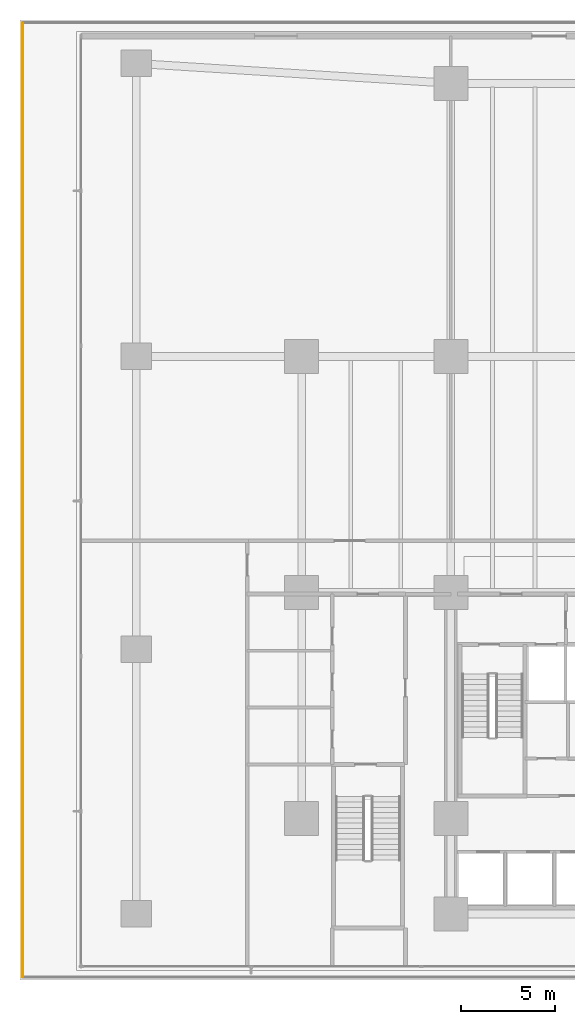
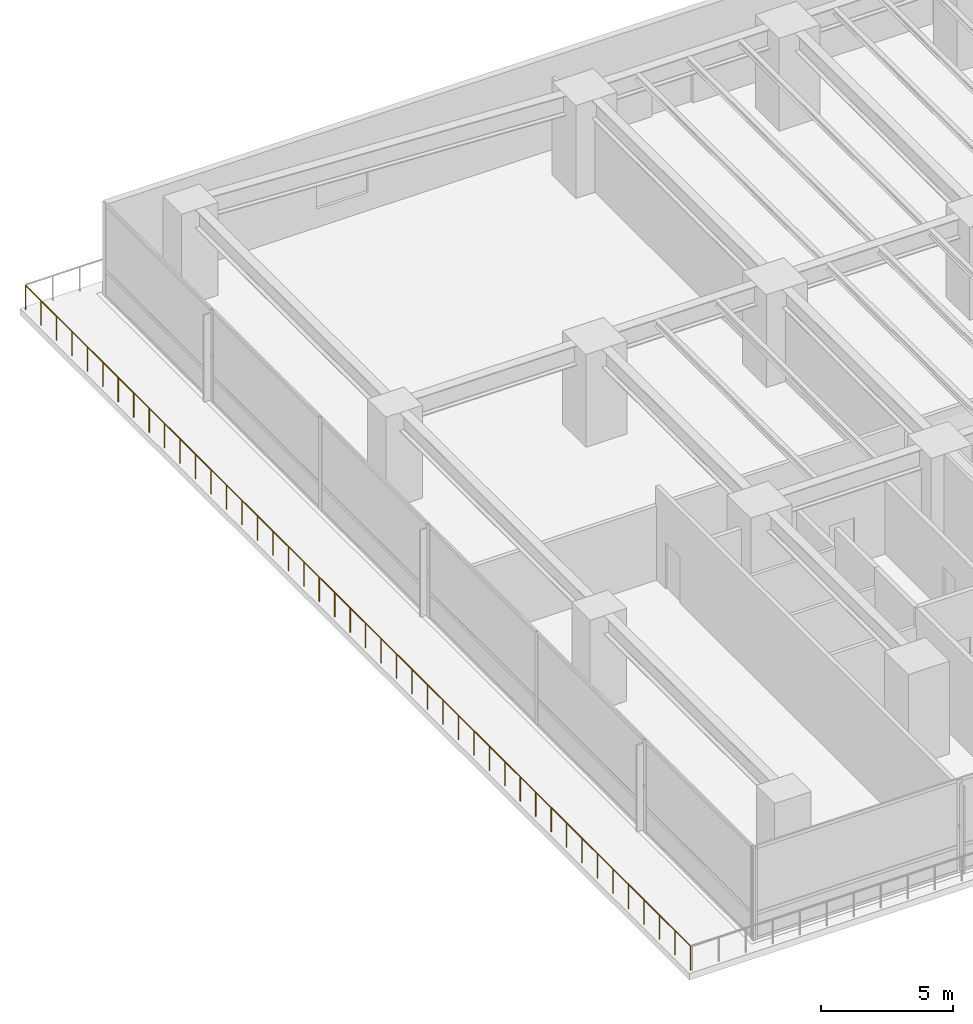
# One storey, part 20 of 28: 1 railing.
"""IFC4 building model written with IfcOpenShell, lengths in metres."""

import ifcopenshell
import ifcopenshell.guid

model = None  # the IFC model being written
_history = None  # IfcOwnerHistory: only IFC2X3 demands one
_inside = {}  # id of a spatial element -> (the spatial element, [elements in it])
_under = {}  # id of a project, library or spatial element -> (it, [spatial elements below it])
_declared = {}  # id of a project -> (the project, [libraries it declares])
_typed = {}  # id of a type object -> (the type object, [elements of that type])
_made_of = {}  # id of a material, layer set ... -> (it, [elements and type objects made of it])


def new_model(schema):
    """Start an empty IFC model of exactly this schema.

    Asked for "IFC4X3", IfcOpenShell would pick the latest addendum, in which some entities
    have other attributes; the version numbers below select the first issue.
    IFC2X3 requires an IfcOwnerHistory on every rooted entity: one is made here for all.
    """
    global model, _history
    if schema == "IFC4X3":
        model = ifcopenshell.file(schema_version=(4, 3, 0, 0))
    else:
        model = ifcopenshell.file(schema=schema)
    _inside.clear()
    _under.clear()
    _declared.clear()
    _typed.clear()
    _made_of.clear()
    _history = None
    if model.schema == "IFC2X3":
        org = make("IfcOrganization", Name="unknown")
        user = make(
            "IfcPersonAndOrganization",
            ThePerson=make("IfcPerson", FamilyName="unknown"),
            TheOrganization=org,
        )
        app = make(
            "IfcApplication",
            ApplicationDeveloper=org,
            Version="unknown",
            ApplicationFullName="unknown",
            ApplicationIdentifier="unknown",
        )
        _history = make(
            "IfcOwnerHistory",
            OwningUser=user,
            OwningApplication=app,
            ChangeAction="ADDED",
            CreationDate=0,
        )
    return model


def make(cls, **values):
    """One entity of the class cls with the attributes given. An attribute that is None is left unset."""
    return model.create_entity(
        cls, **{name: value for name, value in values.items() if value is not None}
    )


def rooted(cls, **values):
    """An entity with a GlobalId (a new one), such as an element, a storey or a relation."""
    return make(cls, GlobalId=ifcopenshell.guid.new(), OwnerHistory=_history, **values)


def si_unit(unit_type, name, prefix=None):
    """IfcSIUnit, for example si_unit("LENGTHUNIT", "METRE", prefix="MILLI")."""
    return make("IfcSIUnit", UnitType=unit_type, Prefix=prefix, Name=name)


def assignment(units):
    """IfcUnitAssignment: the units of a project."""
    return None if units is None else make("IfcUnitAssignment", Units=units)


def point(xyz):
    """IfcCartesianPoint."""
    return None if xyz is None else make("IfcCartesianPoint", Coordinates=xyz)


def direction(xyz):
    """IfcDirection."""
    return None if xyz is None else make("IfcDirection", DirectionRatios=xyz)


def frame(location, z_axis=None, x_axis=None):
    """IfcAxis2Placement3D, a coordinate frame: its origin and axes. An axis left out is left unset."""
    return make(
        "IfcAxis2Placement3D",
        Location=point(location),
        Axis=direction(z_axis),
        RefDirection=direction(x_axis),
    )


def frame_2d(location, x_axis=None):
    """IfcAxis2Placement2D, a coordinate frame in the plane: its origin and x axis."""
    return make(
        "IfcAxis2Placement2D", Location=point(location), RefDirection=direction(x_axis)
    )


def origin():
    """The frame at (0, 0, 0) with its axes left unset."""
    return frame((0.0, 0.0, 0.0))


def origin_2d():
    """The frame at (0, 0) in the plane with its x axis left unset."""
    return frame_2d((0.0, 0.0))


def place(relative_to, where):
    """IfcLocalPlacement: puts the frame where relative to a parent placement (None: the world)."""
    return make(
        "IfcLocalPlacement", PlacementRelTo=relative_to, RelativePlacement=where
    )


def context(
    kind, dimensions, precision=None, world=None, true_north=None, identifier=None
):
    """IfcGeometricRepresentationContext, for example the 3D "Model" context."""
    return make(
        "IfcGeometricRepresentationContext",
        ContextIdentifier=identifier,
        ContextType=kind,
        CoordinateSpaceDimension=dimensions,
        Precision=precision,
        WorldCoordinateSystem=world,
        TrueNorth=true_north,
    )


def subcontext(parent, identifier, kind, view, scale=None):
    """IfcGeometricRepresentationSubContext, for example "Body" below "Model"."""
    return make(
        "IfcGeometricRepresentationSubContext",
        ContextIdentifier=identifier,
        ContextType=kind,
        ParentContext=parent,
        TargetScale=scale,
        TargetView=view,
    )


def project(units=None, contexts=None):
    """IfcProject with its units and contexts."""
    return rooted(
        "IfcProject",
        Name="project",
        RepresentationContexts=contexts,
        UnitsInContext=assignment(units),
    )


def spatial(cls, under=None, at=None, **own):
    """A site, building, storey or space (cls), placed at a placement, below another one or the project."""
    s = rooted(cls, ObjectPlacement=at, **own)
    if under is not None:
        _under.setdefault(under.id(), (under, []))[1].append(s)
    return s


def profile(cls, at=None, kind="AREA", **sizes):
    """A parametric profile (cls). Its sizes go by their IFC names, for example OverallWidth=200.0."""
    return make(cls, ProfileType=kind, Position=at, **sizes)


def circle(**sizes):
    """IfcCircleProfileDef."""
    return profile("IfcCircleProfileDef", **sizes)


def extrude(swept, where, along, depth):
    """IfcExtrudedAreaSolid: the profile swept, set in the frame where, extruded along a direction by depth."""
    return make(
        "IfcExtrudedAreaSolid",
        SweptArea=swept,
        Position=where,
        ExtrudedDirection=direction(along),
        Depth=depth,
    )


def shape(context_of_items, identifier, shape_type, items):
    """IfcShapeRepresentation: the items that make up one representation, for example the "Body"."""
    return make(
        "IfcShapeRepresentation",
        ContextOfItems=context_of_items,
        RepresentationIdentifier=identifier,
        RepresentationType=shape_type,
        Items=items,
    )


def material(Name=None, Category=None):
    """IfcMaterial."""
    return make("IfcMaterial", Name=Name, Category=Category)


def made_of(thing, what):
    """Note that an element or type object is made of a material, layer set ...; save() writes the relation."""
    if what is not None:
        _made_of.setdefault(what.id(), (what, []))[1].append(thing)
    return thing


def type_object(cls, material=None, **own):
    """A type object (cls), such as IfcWallType, which elements share."""
    return made_of(rooted(cls, **own), material)


def element(
    cls,
    number,
    at=None,
    inside=None,
    cuts=None,
    type_object=None,
    material=None,
    context=None,
    identifier="Body",
    shape_type=None,
    held_by="IfcProductDefinitionShape",
    body=None,
    shapes=None,
    **own,
):
    """One element of the class cls, such as IfcWall. Its Tag is "e" and its number.

    at: its placement. inside: the storey or other place that contains it. cuts: it is an
    opening in that element (IfcRelVoidsElement). A single representation is given by context,
    identifier, shape_type and body (its items); several are given by shapes. held_by: the class
    of the entity that holds the representations. save() writes the other relations.
    """
    e = rooted(cls, Tag="e%d" % number, ObjectPlacement=at, **own)
    if body is not None:
        shapes = [shape(context, identifier, shape_type, body)]
    if shapes is not None:
        e.Representation = make(held_by, Representations=shapes)
    if inside is not None:
        _inside.setdefault(inside.id(), (inside, []))[1].append(e)
    if cuts is not None:
        rooted(
            "IfcRelVoidsElement", RelatingBuildingElement=cuts, RelatedOpeningElement=e
        )
    if type_object is not None:
        _typed.setdefault(type_object.id(), (type_object, []))[1].append(e)
    return made_of(e, material)


def aggregate(whole, parts):
    """IfcRelAggregates: a whole, such as a stair, and the parts it consists of."""
    return rooted("IfcRelAggregates", RelatingObject=whole, RelatedObjects=parts)


def save(model, path):
    """Write the relations noted so far, then the file.

    IfcRelAggregates (storeys below a building ...), IfcRelContainedInSpatialStructure (elements
    in a storey), IfcRelDefinesByType, IfcRelAssociatesMaterial and IfcRelDeclares: one each for
    every whole, place, type object, material and project.
    """
    for whole, parts in _under.values():
        aggregate(whole, parts)
    for where, things in _inside.values():
        rooted(
            "IfcRelContainedInSpatialStructure",
            RelatedElements=things,
            RelatingStructure=where,
        )
    for kind, things in _typed.values():
        rooted("IfcRelDefinesByType", RelatedObjects=things, RelatingType=kind)
    for what, things in _made_of.values():
        rooted("IfcRelAssociatesMaterial", RelatedObjects=things, RelatingMaterial=what)
    for by, libraries in _declared.values():
        rooted("IfcRelDeclares", RelatingContext=by, RelatedDefinitions=libraries)
    model.write(path)


model = new_model("IFC4")

# Units and contexts
model_context = context("Model", 3, precision=1e-05, world=origin(), true_north=direction((0.0, 1.0)))
body_context = subcontext(model_context, "Body", "Model", "MODEL_VIEW")
ifc_project = project(units=[si_unit("LENGTHUNIT", "METRE"), si_unit("AREAUNIT", "SQUARE_METRE"), si_unit("VOLUMEUNIT", "CUBIC_METRE"), si_unit("PLANEANGLEUNIT", "RADIAN"), si_unit("MASSUNIT", "GRAM", prefix="KILO")], contexts=[model_context])

# Site, building, storey
site_placement = place(None, origin())
site = spatial("IfcSite", under=ifc_project, at=site_placement, CompositionType="ELEMENT")
building_placement = place(site_placement, origin())
building = spatial("IfcBuilding", under=site, at=building_placement, Name="Qalmaran Belvedere Hotel", CompositionType="ELEMENT")
storey_placement = place(building_placement, frame((0.0, 0.0, 10.0)))
storey = spatial("IfcBuildingStorey", under=building, at=storey_placement, Name="L02", CompositionType="ELEMENT", Elevation=10.0)

# Railing
ifc_material = material(Name="Anodised Bronze Aluminium", Category="aluminium")
railing_type = type_object("IfcRailingType", Name="GRD-TERR-1150", PredefinedType="BALUSTRADE", material=ifc_material)
railing_placement = place(storey_placement, frame((-2.360107421875, 50.625, 0.0)))
element("IfcRailing", 1, at=railing_placement, inside=storey, type_object=railing_type, Name="L02 Guardrail L02-TERR-4", PredefinedType="BALUSTRADE", context=body_context, shape_type="SweptSolid", body=[
    extrude(circle(Radius=0.02392578125, at=origin_2d()), frame((0.0, 0.0, 1.1259765625), z_axis=(0.0, -1.0, 0.0), x_axis=(1.0, 0.0, 0.0)), (0.0, 0.0, 1.0), 50.449951171875),
    extrude(circle(Radius=0.02099609375, at=origin_2d()), origin(), (0.0, 0.0, 1.0), 1.101806640625),
    extrude(circle(Radius=0.02099609375, at=origin_2d()), frame((0.0, -1.17333984375, 0.0)), (0.0, 0.0, 1.0), 1.101806640625),
    extrude(circle(Radius=0.02099609375, at=origin_2d()), frame((0.0, -2.346435546875, 0.0)), (0.0, 0.0, 1.0), 1.101806640625),
    extrude(circle(Radius=0.02099609375, at=origin_2d()), frame((0.0, -3.519775390625, 0.0)), (0.0, 0.0, 1.0), 1.101806640625),
    extrude(circle(Radius=0.02099609375, at=origin_2d()), frame((0.0, -4.693115234375, 0.0)), (0.0, 0.0, 1.0), 1.101806640625),
    extrude(circle(Radius=0.02099609375, at=origin_2d()), frame((0.0, -5.8662109375, 0.0)), (0.0, 0.0, 1.0), 1.101806640625),
    extrude(circle(Radius=0.02099609375, at=origin_2d()), frame((0.0, -7.03955078125, 0.0)), (0.0, 0.0, 1.0), 1.101806640625),
    extrude(circle(Radius=0.02099609375, at=origin_2d()), frame((0.0, -8.212890625, 0.0)), (0.0, 0.0, 1.0), 1.101806640625),
    extrude(circle(Radius=0.02099609375, at=origin_2d()), frame((0.0, -9.385986328125, 0.0)), (0.0, 0.0, 1.0), 1.101806640625),
    extrude(circle(Radius=0.02099609375, at=origin_2d()), frame((0.0, -10.559326171875, 0.0)), (0.0, 0.0, 1.0), 1.101806640625),
    extrude(circle(Radius=0.02099609375, at=origin_2d()), frame((0.0, -11.732666015625, 0.0)), (0.0, 0.0, 1.0), 1.101806640625),
    extrude(circle(Radius=0.02099609375, at=origin_2d()), frame((0.0, -12.90576171875, 0.0)), (0.0, 0.0, 1.0), 1.101806640625),
    extrude(circle(Radius=0.02099609375, at=origin_2d()), frame((0.0, -14.0791015625, 0.0)), (0.0, 0.0, 1.0), 1.101806640625),
    extrude(circle(Radius=0.02099609375, at=origin_2d()), frame((0.0, -15.252197265625, 0.0)), (0.0, 0.0, 1.0), 1.101806640625),
    extrude(circle(Radius=0.02099609375, at=origin_2d()), frame((0.0, -16.425537109375, 0.0)), (0.0, 0.0, 1.0), 1.101806640625),
    extrude(circle(Radius=0.02099609375, at=origin_2d()), frame((0.0, -17.598876953125, 0.0)), (0.0, 0.0, 1.0), 1.101806640625),
    extrude(circle(Radius=0.02099609375, at=origin_2d()), frame((0.0, -18.77197265625, 0.0)), (0.0, 0.0, 1.0), 1.101806640625),
    extrude(circle(Radius=0.02099609375, at=origin_2d()), frame((0.0, -19.9453125, 0.0)), (0.0, 0.0, 1.0), 1.101806640625),
    extrude(circle(Radius=0.02099609375, at=origin_2d()), frame((0.0, -21.11865234375, 0.0)), (0.0, 0.0, 1.0), 1.101806640625),
    extrude(circle(Radius=0.02099609375, at=origin_2d()), frame((0.0, -22.291748046875, 0.0)), (0.0, 0.0, 1.0), 1.101806640625),
    extrude(circle(Radius=0.02099609375, at=origin_2d()), frame((0.0, -23.465087890625, 0.0)), (0.0, 0.0, 1.0), 1.101806640625),
    extrude(circle(Radius=0.02099609375, at=origin_2d()), frame((0.0, -24.638427734375, 0.0)), (0.0, 0.0, 1.0), 1.101806640625),
    extrude(circle(Radius=0.02099609375, at=origin_2d()), frame((0.0, -25.8115234375, 0.0)), (0.0, 0.0, 1.0), 1.101806640625),
    extrude(circle(Radius=0.02099609375, at=origin_2d()), frame((0.0, -26.98486328125, 0.0)), (0.0, 0.0, 1.0), 1.101806640625),
    extrude(circle(Radius=0.02099609375, at=origin_2d()), frame((0.0, -28.158203125, 0.0)), (0.0, 0.0, 1.0), 1.101806640625),
    extrude(circle(Radius=0.02099609375, at=origin_2d()), frame((0.0, -29.331298828125, 0.0)), (0.0, 0.0, 1.0), 1.101806640625),
    extrude(circle(Radius=0.02099609375, at=origin_2d()), frame((0.0, -30.504638671875, 0.0)), (0.0, 0.0, 1.0), 1.101806640625),
    extrude(circle(Radius=0.02099609375, at=origin_2d()), frame((0.0, -31.677978515625, 0.0)), (0.0, 0.0, 1.0), 1.101806640625),
    extrude(circle(Radius=0.02099609375, at=origin_2d()), frame((0.0, -32.85107421875, 0.0)), (0.0, 0.0, 1.0), 1.101806640625),
    extrude(circle(Radius=0.02099609375, at=origin_2d()), frame((0.0, -34.0244140625, 0.0)), (0.0, 0.0, 1.0), 1.101806640625),
    extrude(circle(Radius=0.02099609375, at=origin_2d()), frame((0.0, -35.19775390625, 0.0)), (0.0, 0.0, 1.0), 1.101806640625),
    extrude(circle(Radius=0.02099609375, at=origin_2d()), frame((0.0, -36.370849609375, 0.0)), (0.0, 0.0, 1.0), 1.101806640625),
    extrude(circle(Radius=0.02099609375, at=origin_2d()), frame((0.0, -37.544189453125, 0.0)), (0.0, 0.0, 1.0), 1.101806640625),
    extrude(circle(Radius=0.02099609375, at=origin_2d()), frame((0.0, -38.71728515625, 0.0)), (0.0, 0.0, 1.0), 1.101806640625),
    extrude(circle(Radius=0.02099609375, at=origin_2d()), frame((0.0, -39.890625, 0.0)), (0.0, 0.0, 1.0), 1.101806640625),
    extrude(circle(Radius=0.02099609375, at=origin_2d()), frame((0.0, -41.06396484375, 0.0)), (0.0, 0.0, 1.0), 1.101806640625),
    extrude(circle(Radius=0.02099609375, at=origin_2d()), frame((0.0, -42.237060546875, 0.0)), (0.0, 0.0, 1.0), 1.101806640625),
    extrude(circle(Radius=0.02099609375, at=origin_2d()), frame((0.0, -43.410400390625, 0.0)), (0.0, 0.0, 1.0), 1.101806640625),
    extrude(circle(Radius=0.02099609375, at=origin_2d()), frame((0.0, -44.583740234375, 0.0)), (0.0, 0.0, 1.0), 1.101806640625),
    extrude(circle(Radius=0.02099609375, at=origin_2d()), frame((0.0, -45.7568359375, 0.0)), (0.0, 0.0, 1.0), 1.101806640625),
    extrude(circle(Radius=0.02099609375, at=origin_2d()), frame((0.0, -46.93017578125, 0.0)), (0.0, 0.0, 1.0), 1.101806640625),
    extrude(circle(Radius=0.02099609375, at=origin_2d()), frame((0.0, -48.103515625, 0.0)), (0.0, 0.0, 1.0), 1.101806640625),
    extrude(circle(Radius=0.02099609375, at=origin_2d()), frame((0.0, -49.276611328125, 0.0)), (0.0, 0.0, 1.0), 1.101806640625),
    extrude(circle(Radius=0.02099609375, at=origin_2d()), frame((0.0, -50.449951171875, 0.0)), (0.0, 0.0, 1.0), 1.101806640625),
])

save(model, "model.ifc")
